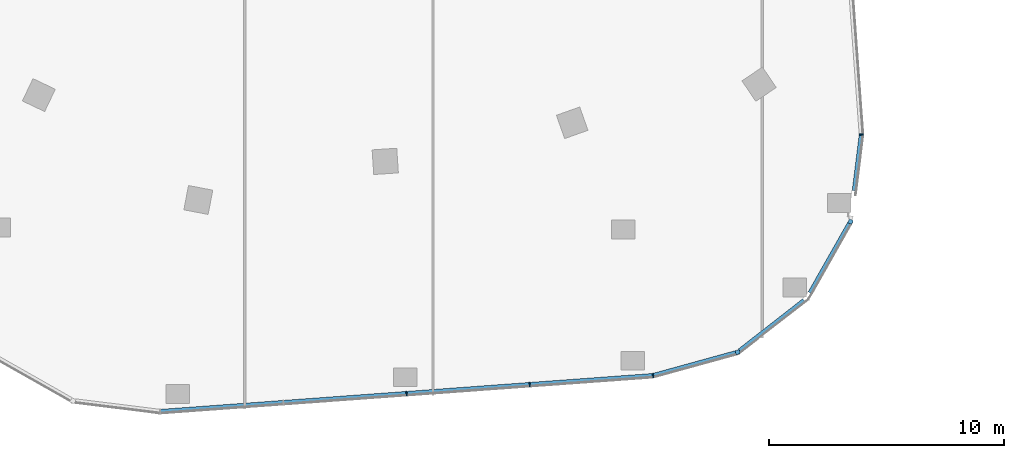
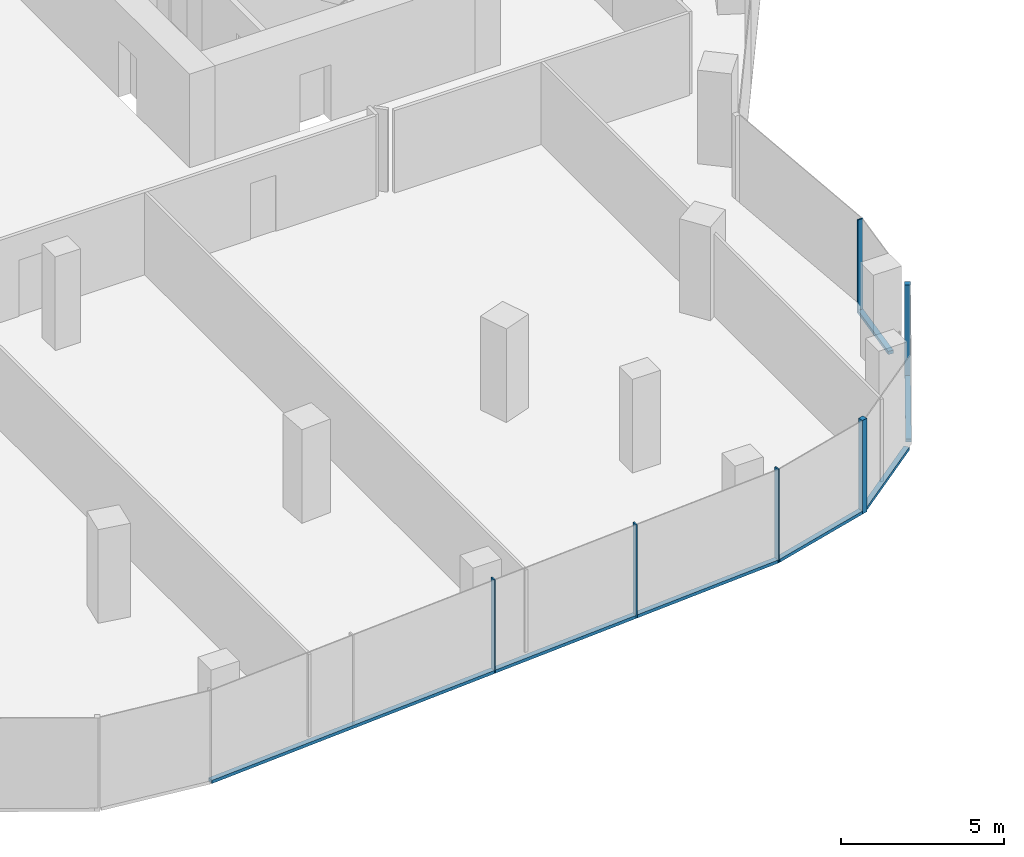
# One storey, part 4 of 24: 11 members, 5 elements without a shape of their own.
"""IFC4 building model written with IfcOpenShell, lengths in metres."""

from ifc_helpers import new_model, si_unit, direction, frame, origin, origin_2d, place, context, subcontext, project, spatial, rectangle, extrude, material, material_profile, profile_set, type_object, element, aggregate, save


model = new_model("IFC4")

# Units and contexts
model_context = context("Model", 3, precision=1e-05, world=origin(), true_north=direction((0.0, 1.0)))
body_context = subcontext(model_context, "Body", "Model", "MODEL_VIEW")
ifc_project = project(units=[si_unit("LENGTHUNIT", "METRE"), si_unit("AREAUNIT", "SQUARE_METRE"), si_unit("VOLUMEUNIT", "CUBIC_METRE"), si_unit("PLANEANGLEUNIT", "RADIAN"), si_unit("MASSUNIT", "GRAM", prefix="KILO")], contexts=[model_context])

# Site, building, storey
site_placement = place(None, origin())
site = spatial("IfcSite", under=ifc_project, at=site_placement, CompositionType="ELEMENT")
building_placement = place(site_placement, origin())
building = spatial("IfcBuilding", under=site, at=building_placement, Name="Orlundy Tower", CompositionType="ELEMENT")
storey_placement = place(building_placement, frame((0.0, 0.0, 242.5)))
storey = spatial("IfcBuildingStorey", under=building, at=storey_placement, Name="L64", CompositionType="ELEMENT", Elevation=242.5)

# Curtain wall, member
ifc_material_1 = material(Name="Aluminium bronze anodised", Category="aluminium")
curtain_wall_type = type_object("IfcCurtainWallType", Name="CW1 wall", PredefinedType="NOTDEFINED", material=ifc_material_1)
curtain_wall_1_placement = place(storey_placement, origin())
curtain_wall_1 = element("IfcCurtainWall", 1, at=curtain_wall_1_placement, inside=storey, type_object=curtain_wall_type, Name="CW1 run 04", PredefinedType="NOTDEFINED")
ifc_material_2 = material(Name="Aluminium bronze anodised", Category="aluminium")
ifc_material_profile_1 = material_profile(ifc_material_2, rectangle(XDim=0.179931640625, YDim=0.179931640625, at=origin_2d()), Name="CW1 corner post 180x180")
ifc_profile_set_1 = profile_set([ifc_material_profile_1], Name="Aluminium bronze anodised")
member_type_1 = type_object("IfcMemberType", Name="CW1 corner post 180x180", PredefinedType="MULLION", material=ifc_profile_set_1)
member_1_placement = place(storey_placement, frame((21.757080078125, -32.1748046875, -0.39990234375), z_axis=(0.0, 0.0, 1.0), x_axis=(0.869601381531, -0.493754430095, 0.0)))
member_1 = element("IfcMember", 2, at=member_1_placement, type_object=member_type_1, Name="CW1 mullion 7", PredefinedType="MULLION", context=body_context, shape_type="SweptSolid", body=[
    extrude(rectangle(XDim=0.179931640625, YDim=0.179931640625, at=origin_2d()), origin(), (0.0, 0.0, 1.0), 3.5),
])

curtain_wall_2_placement = place(storey_placement, origin())
curtain_wall_2 = element("IfcCurtainWall", 3, at=curtain_wall_2_placement, inside=storey, type_object=curtain_wall_type, Name="CW1 run 06", PredefinedType="NOTDEFINED")
member_2_placement = place(storey_placement, frame((16.957275390625, -37.72900390625, -0.39990234375), z_axis=(0.0, 0.0, 1.0), x_axis=(0.265946284152, -0.96398784948, 0.0)))
member_2 = element("IfcMember", 4, at=member_2_placement, type_object=member_type_1, Name="CW1 mullion 9", PredefinedType="MULLION", context=body_context, shape_type="SweptSolid", body=[
    extrude(rectangle(XDim=0.179931640625, YDim=0.179931640625, at=origin_2d()), origin(), (0.0, 0.0, 1.0), 3.5),
])

curtain_wall_3_placement = place(storey_placement, origin())
curtain_wall_3 = element("IfcCurtainWall", 5, at=curtain_wall_3_placement, inside=storey, type_object=curtain_wall_type, Name="CW1 run 03", PredefinedType="NOTDEFINED")
ifc_material_3 = material(Name="Aluminium bronze anodised", Category="aluminium")
ifc_material_profile_2 = material_profile(ifc_material_3, rectangle(XDim=0.179931640625, YDim=0.050048828125, at=origin_2d()), Name="CW1 mullion 50x180")
ifc_profile_set_2 = profile_set([ifc_material_profile_2], Name="Aluminium bronze anodised")
member_type_2 = type_object("IfcMemberType", Name="CW1 mullion 50x180", PredefinedType="MULLION", material=ifc_profile_set_2)
member_3_placement = place(storey_placement, frame((22.21728515625, -28.47021484375, -0.39990234375), z_axis=(0.0, 0.0, 1.0), x_axis=(0.999676246747, -0.025444089483, 0.0)))
member_3 = element("IfcMember", 6, at=member_3_placement, type_object=member_type_2, Name="CW1 mullion 6", PredefinedType="MULLION", context=body_context, shape_type="SweptSolid", body=[
    extrude(rectangle(XDim=0.179931640625, YDim=0.050048828125, at=origin_2d()), origin(), (0.0, 0.0, 1.0), 3.5),
])

# Curtain wall, members
curtain_wall_4_placement = place(storey_placement, origin())
curtain_wall_4 = element("IfcCurtainWall", 7, at=curtain_wall_4_placement, inside=storey, type_object=curtain_wall_type, Name="CW1 run 07", PredefinedType="NOTDEFINED")
member_4_placement = place(storey_placement, frame((13.357421875, -38.72216796875, -0.39990234375), z_axis=(0.0, 0.0, 1.0), x_axis=(0.170127379621, -0.985422079468, 0.0)))
member_4 = element("IfcMember", 8, at=member_4_placement, type_object=member_type_2, Name="CW1 mullion 10", PredefinedType="MULLION", context=body_context, shape_type="SweptSolid", body=[
    extrude(rectangle(XDim=0.179931640625, YDim=0.050048828125, at=origin_2d()), origin(), (0.0, 0.0, 1.0), 3.5),
])
member_5_placement = place(storey_placement, frame((8.112548828125, -39.104248046875, -0.39990234375), z_axis=(0.0, 0.0, 1.0), x_axis=(0.072668329988, -0.997356161969, 0.0)))
member_5 = element("IfcMember", 9, at=member_5_placement, type_object=member_type_2, Name="CW1 mullion 11", PredefinedType="MULLION", context=body_context, shape_type="SweptSolid", body=[
    extrude(rectangle(XDim=0.179931640625, YDim=0.050048828125, at=origin_2d()), origin(), (0.0, 0.0, 1.0), 3.5),
])
member_6_placement = place(storey_placement, frame((2.87646484375, -39.48583984375, -0.39990234375), z_axis=(0.0, 0.0, 1.0), x_axis=(0.072668329988, -0.997356161969, 0.0)))
member_6 = element("IfcMember", 10, at=member_6_placement, type_object=member_type_2, Name="CW1 mullion 12", PredefinedType="MULLION", context=body_context, shape_type="SweptSolid", body=[
    extrude(rectangle(XDim=0.179931640625, YDim=0.050048828125, at=origin_2d()), origin(), (0.0, 0.0, 1.0), 3.5),
])

# Member
ifc_material_4 = material(Name="Aluminium bronze anodised", Category="aluminium")
ifc_material_profile_3 = material_profile(ifc_material_4, rectangle(XDim=0.179931640625, YDim=0.1201171875, at=origin_2d()), Name="CW1 transom 180x120")
ifc_profile_set_3 = profile_set([ifc_material_profile_3], Name="Aluminium bronze anodised")
member_type_3 = type_object("IfcMemberType", Name="CW1 transom 180x120", PredefinedType="USERDEFINED", material=ifc_profile_set_3)
member_7_placement = place(storey_placement, frame((22.21435546875, -28.4951171875, -0.340087890625), z_axis=(-0.123354908055, -0.992362618532, 0.0), x_axis=(0.992362618532, -0.123354908055, 0.0)))
member_7 = element("IfcMember", 11, at=member_7_placement, type_object=member_type_3, Name="CW1 transom", ObjectType="TRANSOM", PredefinedType="USERDEFINED", context=body_context, shape_type="SweptSolid", body=[
    extrude(rectangle(XDim=0.179931640625, YDim=0.1201171875, at=origin_2d()), origin(), (0.0, 0.0, 1.0), 2.386962890625),
])

aggregate(curtain_wall_3, [member_3, member_7])

member_8_placement = place(storey_placement, frame((21.712646484375, -32.253173828125, -0.340087890625), z_axis=(-0.493783343086, -0.869584964273, 0.0), x_axis=(0.869584964273, -0.493783343086, 0.0)))
member_8 = element("IfcMember", 12, at=member_8_placement, type_object=member_type_3, Name="CW1 transom", ObjectType="TRANSOM", PredefinedType="USERDEFINED", context=body_context, shape_type="SweptSolid", body=[
    extrude(rectangle(XDim=0.179931640625, YDim=0.1201171875, at=origin_2d()), origin(), (0.0, 0.0, 1.0), 3.395751953125),
])

aggregate(curtain_wall_1, [member_1, member_8])

# Curtain wall, member
curtain_wall_5_placement = place(storey_placement, origin())
curtain_wall_5 = element("IfcCurtainWall", 13, at=curtain_wall_5_placement, inside=storey, type_object=curtain_wall_type, Name="CW1 run 05", PredefinedType="NOTDEFINED")
member_9_placement = place(storey_placement, frame((19.78369140625, -35.527099609375, -0.340087890625), z_axis=(-0.788880549611, -0.614546563285, 0.0), x_axis=(0.614546563285, -0.788880549611, 0.0)))
member_9 = element("IfcMember", 14, at=member_9_placement, type_object=member_type_3, Name="CW1 transom", ObjectType="TRANSOM", PredefinedType="USERDEFINED", context=body_context, shape_type="SweptSolid", body=[
    extrude(rectangle(XDim=0.179931640625, YDim=0.1201171875, at=origin_2d()), origin(), (0.0, 0.0, 1.0), 3.485595703125),
])
aggregate(curtain_wall_5, [member_9])

# Member
member_10_placement = place(storey_placement, frame((16.870361328125, -37.7529296875, -0.340087890625), z_axis=(-0.963993810847, -0.265924674763, 0.0), x_axis=(0.265924674763, -0.963993810847, 0.0)))
member_10 = element("IfcMember", 15, at=member_10_placement, type_object=member_type_3, Name="CW1 transom", ObjectType="TRANSOM", PredefinedType="USERDEFINED", context=body_context, shape_type="SweptSolid", body=[
    extrude(rectangle(XDim=0.179931640625, YDim=0.1201171875, at=origin_2d()), origin(), (0.0, 0.0, 1.0), 3.619140625),
])

aggregate(curtain_wall_2, [member_2, member_10])

member_11_placement = place(storey_placement, frame((13.332275390625, -38.723876953125, -0.340087890625), z_axis=(-0.997356020939, -0.072670265565, 0.0), x_axis=(0.072670265565, -0.997356020939, 0.0)))
member_11 = element("IfcMember", 16, at=member_11_placement, type_object=member_type_3, Name="CW1 transom", ObjectType="TRANSOM", PredefinedType="USERDEFINED", context=body_context, shape_type="SweptSolid", body=[
    extrude(rectangle(XDim=0.179931640625, YDim=0.1201171875, at=origin_2d()), origin(), (0.0, 0.0, 1.0), 20.967041015625),
])

aggregate(curtain_wall_4, [member_4, member_5, member_6, member_11])

save(model, "model.ifc")
